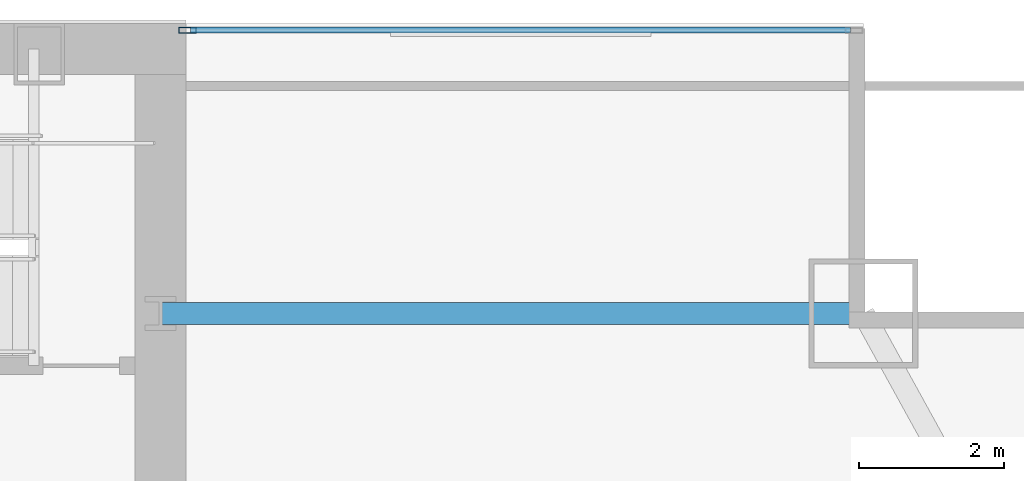
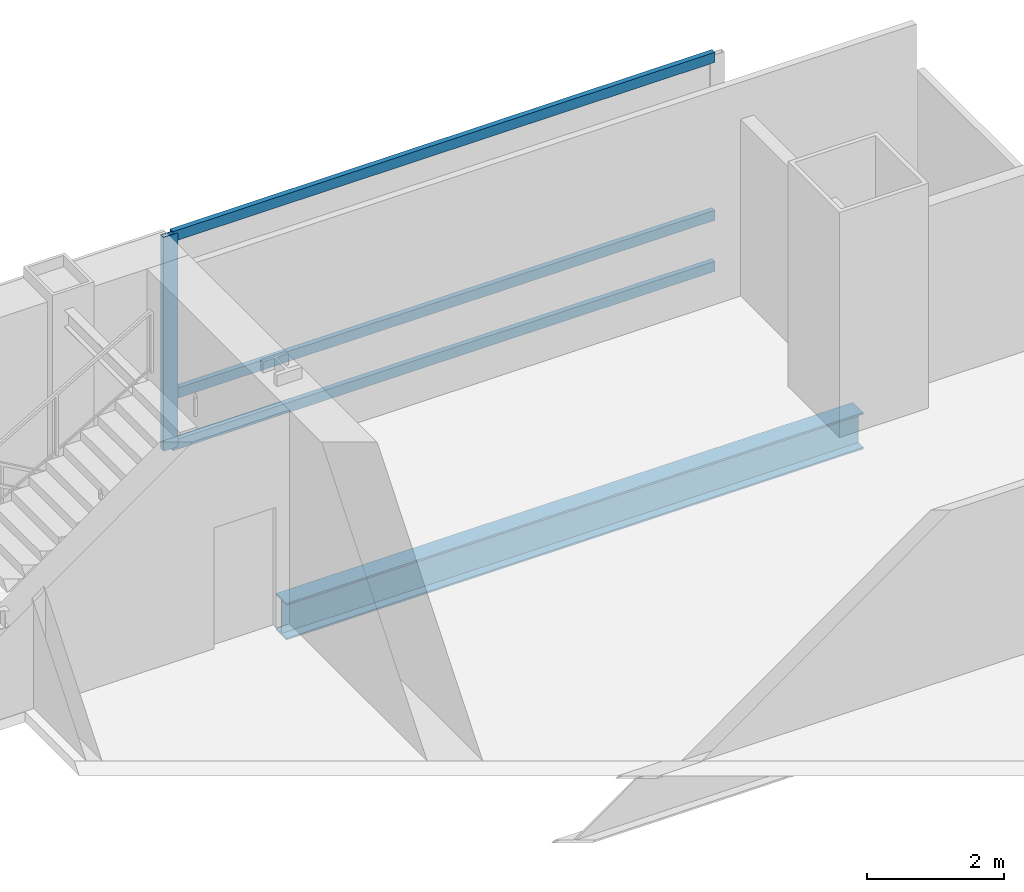
# One storey, part 20 of 34: 4 members, 1 beam, 1 element without a shape of its own.
"""IFC4 building model written with IfcOpenShell, lengths in metres."""

from ifc_helpers import new_model, si_unit, direction, frame, origin, origin_2d, place, context, subcontext, project, spatial, hollow_rectangle, i_section, extrude, material, material_profile, profile_set, type_object, element, aggregate, save


model = new_model("IFC4")

# Units and contexts
model_context = context("Model", 3, precision=1e-05, world=origin(), true_north=direction((0.0, 1.0)))
body_context = subcontext(model_context, "Body", "Model", "MODEL_VIEW")
ifc_project = project(units=[si_unit("LENGTHUNIT", "METRE"), si_unit("AREAUNIT", "SQUARE_METRE"), si_unit("VOLUMEUNIT", "CUBIC_METRE"), si_unit("PLANEANGLEUNIT", "RADIAN"), si_unit("MASSUNIT", "GRAM", prefix="KILO")], contexts=[model_context])

# Site, building, storey
site_placement = place(None, origin())
site = spatial("IfcSite", under=ifc_project, at=site_placement, CompositionType="ELEMENT")
building_placement = place(site_placement, origin())
building = spatial("IfcBuilding", under=site, at=building_placement, Name="Khoronbel Lancet Exchange", CompositionType="ELEMENT")
storey_placement = place(building_placement, frame((0.0, 0.0, 102.60009765625)))
storey = spatial("IfcBuildingStorey", under=building, at=storey_placement, Name="L24", CompositionType="ELEMENT", Elevation=102.60009765625)

# Beam
ifc_material_1 = material(Name="Steel S355", Category="steel")
ifc_material_profile_1 = material_profile(ifc_material_1, i_section(OverallWidth=0.300048828125, OverallDepth=0.64990234375, WebThickness=0.01611328125, FlangeThickness=0.031005859375, at=origin_2d()), Name="HEB 650")
ifc_profile_set_1 = profile_set([ifc_material_profile_1], Name="Steel S355")
beam_type = type_object("IfcBeamType", Name="BM-BSP1", PredefinedType="SPANDREL", material=ifc_profile_set_1)
beam_placement = place(storey_placement, frame((66.050048828125, 49.699951171875, -0.505126953125), z_axis=(-1.0, 0.0, 0.0), x_axis=(0.0, -1.0, 0.0)))
element("IfcBeam", 1, at=beam_placement, inside=storey, type_object=beam_type, Name="Level L24 north flank tie spandrel SP23", PredefinedType="SPANDREL", context=body_context, shape_type="SweptSolid", body=[
    extrude(i_section(OverallWidth=0.300048828125, OverallDepth=0.64990234375, WebThickness=0.01611328125, FlangeThickness=0.031005859375, at=origin_2d()), origin(), (0.0, 0.0, 1.0), 9.699951171875),
])

# Curtain wall, members
ifc_material_2 = material(Name="Low-E Solar Control Insulating Glass", Category="glass")
curtain_wall_type = type_object("IfcCurtainWallType", Name="CW-2", PredefinedType="NOTDEFINED", material=ifc_material_2)
curtain_wall_placement = place(storey_placement, origin())
curtain_wall = element("IfcCurtainWall", 2, at=curtain_wall_placement, inside=storey, type_object=curtain_wall_type, Name="Unitised curtain wall CW-L24-NEFLK", PredefinedType="NOTDEFINED")
ifc_material_3 = material(Name="Bronze-Anodised Aluminium 6063-T6", Category="aluminium")
ifc_material_profile_2 = material_profile(ifc_material_3, hollow_rectangle(XDim=0.0849609375, YDim=0.239990234375, WallThickness=0.006103515625, at=origin_2d()), Name="ALU MULLION 85x240")
ifc_profile_set_2 = profile_set([ifc_material_profile_2], Name="Bronze-Anodised Aluminium 6063-T6")
member_type_1 = type_object("IfcMemberType", Name="MEM-CWM1", PredefinedType="MULLION", material=ifc_profile_set_2)
member_1_placement = place(storey_placement, frame((56.722412109375, 53.610107421875, 0.0), z_axis=(0.0, 0.0, 1.0), x_axis=(0.0, -1.0, 0.0)))
member_1 = element("IfcMember", 3, at=member_1_placement, type_object=member_type_1, Name="CW2 mullion 2", PredefinedType="MULLION", context=body_context, shape_type="SweptSolid", body=[
    extrude(hollow_rectangle(XDim=0.0849609375, YDim=0.239990234375, WallThickness=0.006103515625, at=origin_2d()), origin(), (0.0, 0.0, 1.0), 3.7998046875),
])
ifc_material_profile_3 = material_profile(ifc_material_3, hollow_rectangle(XDim=0.0849609375, YDim=0.179931640625, WallThickness=0.0048828125, at=origin_2d()), Name="ALU TRANSOM 85x180")
ifc_profile_set_3 = profile_set([ifc_material_profile_3], Name="Bronze-Anodised Aluminium 6063-T6")
member_type_2 = type_object("IfcMemberType", Name="MEM-CWT1", PredefinedType="USERDEFINED", material=ifc_profile_set_3)
member_2_placement = place(storey_placement, frame((65.875, 53.610107421875, 0.04248046875), z_axis=(-1.0, 0.0, 0.0), x_axis=(0.0, -1.0, 0.0)))
member_2 = element("IfcMember", 4, at=member_2_placement, type_object=member_type_2, Name="CW2 transom 1.1", ObjectType="TRANSOM", PredefinedType="USERDEFINED", context=body_context, shape_type="SweptSolid", body=[
    extrude(hollow_rectangle(XDim=0.0849609375, YDim=0.179931640625, WallThickness=0.0048828125, at=origin_2d()), origin(), (0.0, 0.0, 1.0), 9.110107421875),
])
member_3_placement = place(storey_placement, frame((65.875, 53.610107421875, 0.949951171875), z_axis=(-1.0, 0.0, 0.0), x_axis=(0.0, -1.0, 0.0)))
member_3 = element("IfcMember", 5, at=member_3_placement, type_object=member_type_2, Name="CW2 transom 1.2", ObjectType="TRANSOM", PredefinedType="USERDEFINED", context=body_context, shape_type="SweptSolid", body=[
    extrude(hollow_rectangle(XDim=0.0849609375, YDim=0.179931640625, WallThickness=0.0048828125, at=origin_2d()), origin(), (0.0, 0.0, 1.0), 9.110107421875),
])
member_4_placement = place(storey_placement, frame((65.875, 53.610107421875, 3.75732421875), z_axis=(-1.0, 0.0, 0.0), x_axis=(0.0, -1.0, 0.0)))
member_4 = element("IfcMember", 6, at=member_4_placement, type_object=member_type_2, Name="CW2 transom 1.3", ObjectType="TRANSOM", PredefinedType="USERDEFINED", context=body_context, shape_type="SweptSolid", body=[
    extrude(hollow_rectangle(XDim=0.0849609375, YDim=0.179931640625, WallThickness=0.0048828125, at=origin_2d()), origin(), (0.0, 0.0, 1.0), 9.110107421875),
])
aggregate(curtain_wall, [member_1, member_2, member_3, member_4])

save(model, "model.ifc")
